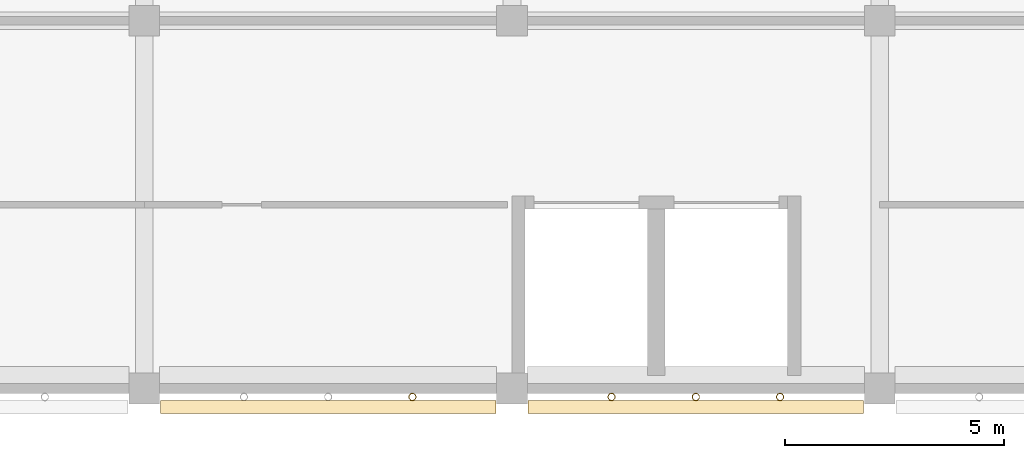
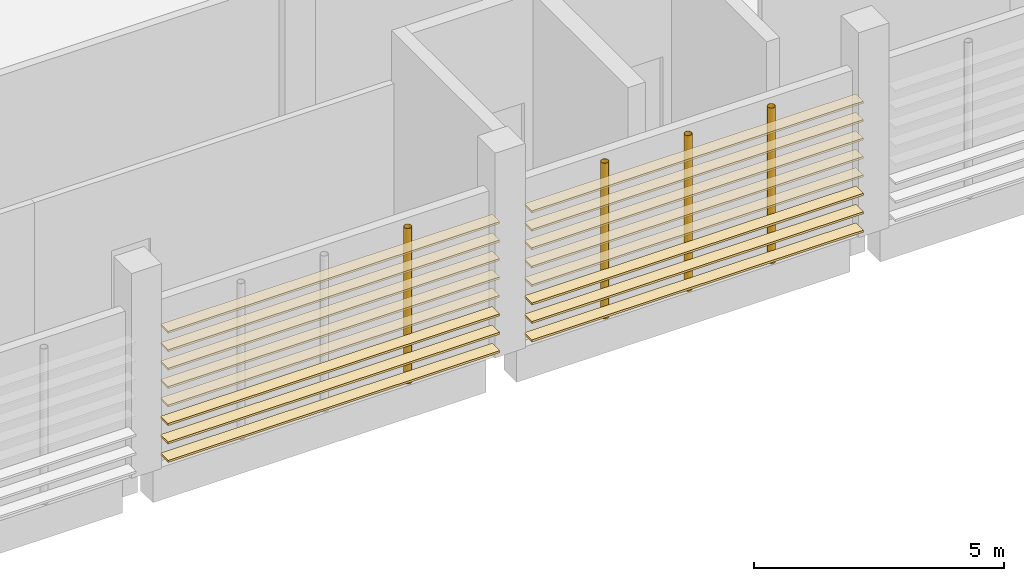
# One storey, part 55 of 82: 16 coverings, 4 shading devices.
"""IFC4 building model written with IfcOpenShell, lengths in metres."""

from ifc_helpers import new_model, si_unit, direction, frame, origin, origin_2d, place, context, subcontext, project, spatial, rectangle, hollow_circle, extrude, material, material_profile, profile_set, type_object, element, save


model = new_model("IFC4")

# Units and contexts
model_context = context("Model", 3, precision=1e-05, world=origin(), true_north=direction((0.0, 1.0)))
body_context = subcontext(model_context, "Body", "Model", "MODEL_VIEW")
ifc_project = project(units=[si_unit("LENGTHUNIT", "METRE"), si_unit("AREAUNIT", "SQUARE_METRE"), si_unit("VOLUMEUNIT", "CUBIC_METRE"), si_unit("PLANEANGLEUNIT", "RADIAN"), si_unit("MASSUNIT", "GRAM", prefix="KILO")], contexts=[model_context])

# Site, building, storey
site_placement = place(None, origin())
site = spatial("IfcSite", under=ifc_project, at=site_placement, CompositionType="ELEMENT")
building_placement = place(site_placement, origin())
building = spatial("IfcBuilding", under=site, at=building_placement, Name="Almond Square Museum", CompositionType="ELEMENT")
storey_placement = place(building_placement, frame((0.0, 0.0, 20.0)))
storey = spatial("IfcBuildingStorey", under=building, at=storey_placement, Name="L03", CompositionType="ELEMENT", Elevation=20.0)

# Shading devices
ifc_material_1 = material(Name="Structural steel S355", Category="steel")
ifc_material_profile_1 = material_profile(ifc_material_1, hollow_circle(Radius=0.084228515625, WallThickness=0.008056640625, at=origin_2d()))
ifc_profile_set_1 = profile_set([ifc_material_profile_1], Name="Structural steel S355")
shading_device_type = type_object("IfcShadingDeviceType", Name="Louvre post CHS 168.3 x 8", PredefinedType="USERDEFINED", material=ifc_profile_set_1)
for number, where, z_axis, x_axis, name in (
    (1, (87.72509765625, -0.194091796875, 0.0), (0.0, 0.0, 1.0), (1.0, 0.0, 0.0), "Louvre screen post"),
    (2, (92.27490234375, -0.194091796875, 0.0), (0.0, 0.0, 1.0), (1.0, 0.0, 0.0), "Louvre screen post"),
    (3, (94.199951171875, -0.194091796875, 0.0), (0.0, 0.0, 1.0), (1.0, 0.0, 0.0), "Louvre screen post"),
    (4, (96.125, -0.194091796875, 0.0), (0.0, 0.0, 1.0), (1.0, 0.0, 0.0), "Louvre screen post"),
):
    element("IfcShadingDevice", number, at=place(storey_placement, frame(where, z_axis=z_axis, x_axis=x_axis)), inside=storey, type_object=shading_device_type, Name=name, ObjectType="POST", PredefinedType="USERDEFINED", context=body_context, shape_type="SweptSolid", body=[
        extrude(hollow_circle(Radius=0.084228515625, WallThickness=0.008056640625, at=origin_2d()), origin(), (0.0, 0.0, 1.0), 3.800048828125),
    ])

# Coverings
ifc_material_2 = material(Name="Cedar timber louvre board", Category="wood")
ifc_material_profile_2 = material_profile(ifc_material_2, rectangle(XDim=0.300048828125, YDim=0.050048828125, at=origin_2d()))
ifc_profile_set_2 = profile_set([ifc_material_profile_2], Name="Cedar timber louvre board")
covering_type = type_object("IfcCoveringType", Name="Louvre screen board 300 x 50", PredefinedType="CLADDING", material=ifc_profile_set_2)
for number, where, z_axis, x_axis, name in (
    (5, (81.969970703125, -0.42431640625, 0.300048828125), (1.0, 0.0, 0.0), (0.0, 1.0, 0.0), "Louvre screen board"),
    (6, (81.969970703125, -0.42431640625, 0.75), (1.0, 0.0, 0.0), (0.0, 1.0, 0.0), "Louvre screen board"),
    (7, (81.969970703125, -0.42431640625, 1.199951171875), (1.0, 0.0, 0.0), (0.0, 1.0, 0.0), "Louvre screen board"),
    (8, (81.969970703125, -0.42431640625, 1.64990234375), (1.0, 0.0, 0.0), (0.0, 1.0, 0.0), "Louvre screen board"),
    (9, (81.969970703125, -0.42431640625, 2.10009765625), (1.0, 0.0, 0.0), (0.0, 1.0, 0.0), "Louvre screen board"),
    (10, (81.969970703125, -0.42431640625, 2.550048828125), (1.0, 0.0, 0.0), (0.0, 1.0, 0.0), "Louvre screen board"),
    (11, (81.969970703125, -0.42431640625, 3.0), (1.0, 0.0, 0.0), (0.0, 1.0, 0.0), "Louvre screen board"),
    (12, (81.969970703125, -0.42431640625, 3.449951171875), (1.0, 0.0, 0.0), (0.0, 1.0, 0.0), "Louvre screen board"),
    (13, (90.3701171875, -0.42431640625, 0.300048828125), (1.0, 0.0, 0.0), (0.0, 1.0, 0.0), "Louvre screen board"),
    (14, (90.3701171875, -0.42431640625, 0.75), (1.0, 0.0, 0.0), (0.0, 1.0, 0.0), "Louvre screen board"),
    (15, (90.3701171875, -0.42431640625, 1.199951171875), (1.0, 0.0, 0.0), (0.0, 1.0, 0.0), "Louvre screen board"),
    (16, (90.3701171875, -0.42431640625, 1.64990234375), (1.0, 0.0, 0.0), (0.0, 1.0, 0.0), "Louvre screen board"),
    (17, (90.3701171875, -0.42431640625, 2.10009765625), (1.0, 0.0, 0.0), (0.0, 1.0, 0.0), "Louvre screen board"),
    (18, (90.3701171875, -0.42431640625, 2.550048828125), (1.0, 0.0, 0.0), (0.0, 1.0, 0.0), "Louvre screen board"),
    (19, (90.3701171875, -0.42431640625, 3.0), (1.0, 0.0, 0.0), (0.0, 1.0, 0.0), "Louvre screen board"),
    (20, (90.3701171875, -0.42431640625, 3.449951171875), (1.0, 0.0, 0.0), (0.0, 1.0, 0.0), "Louvre screen board"),
):
    element("IfcCovering", number, at=place(storey_placement, frame(where, z_axis=z_axis, x_axis=x_axis)), inside=storey, type_object=covering_type, Name=name, PredefinedType="CLADDING", context=body_context, shape_type="SweptSolid", body=[
        extrude(rectangle(XDim=0.300048828125, YDim=0.050048828125, at=origin_2d()), origin(), (0.0, 0.0, 1.0), 7.659912109375),
    ])

save(model, "model.ifc")
